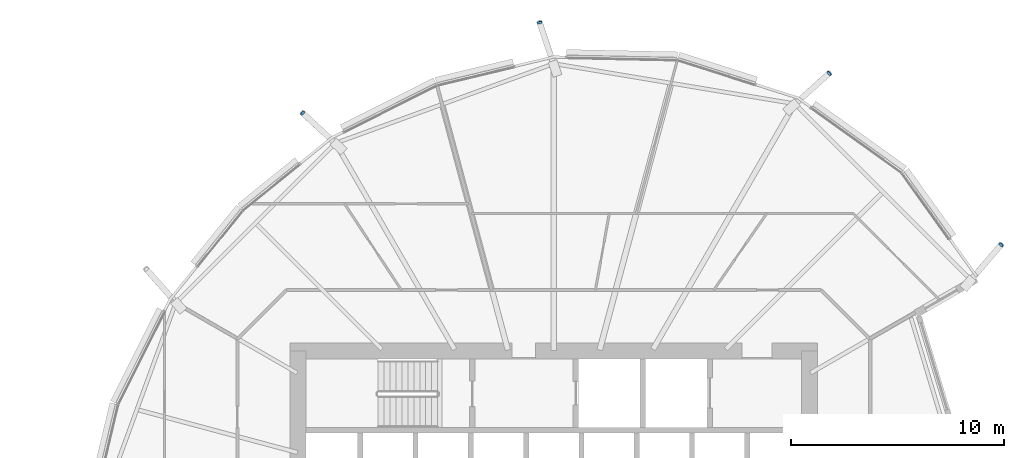
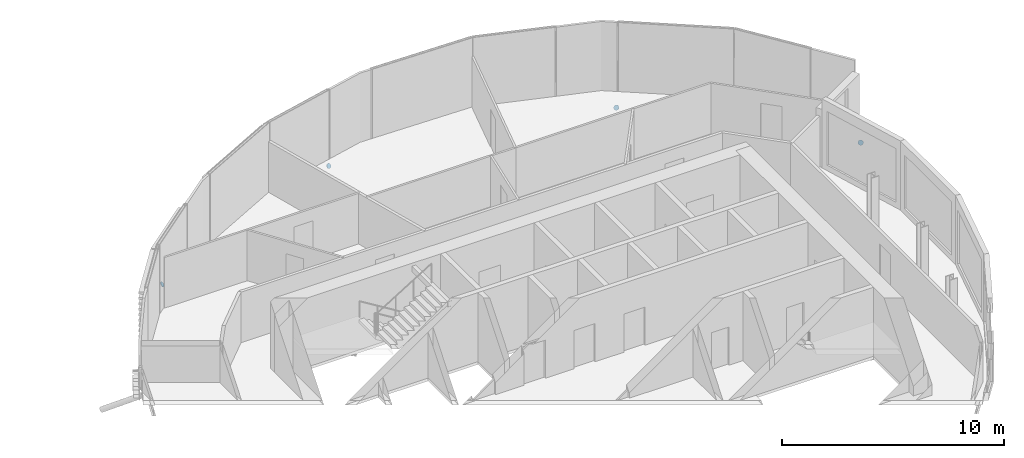
# One storey, part 32 of 38: 4 discrete accessories.
"""IFC4 building model written with IfcOpenShell, lengths in metres."""

from ifc_helpers import new_model, si_unit, direction, frame, origin, origin_2d, place, context, subcontext, project, spatial, circle, extrude, material, material_profile, profile_set, type_object, element, save


model = new_model("IFC4")

# Units and contexts
model_context = context("Model", 3, precision=1e-05, world=origin(), true_north=direction((0.0, 1.0)))
body_context = subcontext(model_context, "Body", "Model", "MODEL_VIEW")
ifc_project = project(units=[si_unit("LENGTHUNIT", "METRE"), si_unit("AREAUNIT", "SQUARE_METRE"), si_unit("VOLUMEUNIT", "CUBIC_METRE"), si_unit("PLANEANGLEUNIT", "RADIAN"), si_unit("MASSUNIT", "GRAM", prefix="KILO")], contexts=[model_context])

# Site, building, storey
site_placement = place(None, origin())
site = spatial("IfcSite", under=ifc_project, at=site_placement, CompositionType="ELEMENT")
building_placement = place(site_placement, origin())
building = spatial("IfcBuilding", under=site, at=building_placement, Name="Rimbun Link Towers", CompositionType="ELEMENT")
storey_placement = place(building_placement, frame((0.0, 0.0, 119.60009765625)))
storey = spatial("IfcBuildingStorey", under=building, at=storey_placement, Name="L29", CompositionType="ELEMENT", Elevation=119.60009765625)

# Discrete accessories
ifc_material = material(Name="Steel S355J2H", Category="steel")
ifc_material_profile = material_profile(ifc_material, circle(Radius=0.1240234375, at=origin_2d()), Name="PL D248")
ifc_profile_set = profile_set([ifc_material_profile], Name="Steel S355J2H")
discrete_accessory_type = type_object("IfcDiscreteAccessoryType", Name="Link foot sealing plate D248X20", PredefinedType="BRACKET", material=ifc_profile_set)
discrete_accessory_1_placement = place(storey_placement, frame((44.6669921875, 21.015380859375, -2.18310546875), z_axis=(0.646870797986, 0.585845251006, -0.488204375838), x_axis=(-0.671279432626, 0.741204373525, 0.0)))
element("IfcDiscreteAccessory", 1, at=discrete_accessory_1_placement, inside=storey, type_object=discrete_accessory_type, Name="Link foot sealing plate T2 L29 01", PredefinedType="BRACKET", context=body_context, shape_type="SweptSolid", body=[
    extrude(circle(Radius=0.1240234375, at=origin_2d()), origin(), (0.0, 0.0, 1.0), 0.02001953125),
])
discrete_accessory_2_placement = place(storey_placement, frame((31.087890625, 23.3974609375, -2.081787109375), z_axis=(-0.278690648323, 0.83607194497, -0.472562403679), x_axis=(-0.948683298051, -0.316227766017, 0.0)))
element("IfcDiscreteAccessory", 2, at=discrete_accessory_2_placement, inside=storey, type_object=discrete_accessory_type, Name="Link foot sealing plate T2 L29 03", PredefinedType="BRACKET", context=body_context, shape_type="SweptSolid", body=[
    extrude(circle(Radius=0.1240234375, at=origin_2d()), origin(), (0.0, 0.0, 1.0), 0.020263671875),
])
for number, where, z_axis, x_axis, name in (
    (3, (19.971923828125, 19.151611328125, -2.12451171875), (-0.635803253097, 0.586895310551, -0.501306411095), (-0.678280102733, -0.734803444627, 0.0), "Link foot sealing plate T2 L29 05"),
    (4, (52.73486328125, 12.9658203125, -2.05322265625), (0.557996078219, 0.655038874431, -0.509474680113), (-0.761243230487, 0.6484664556, 0.0), "Link foot sealing plate T2 L29 23"),
):
    element("IfcDiscreteAccessory", number, at=place(storey_placement, frame(where, z_axis=z_axis, x_axis=x_axis)), inside=storey, type_object=discrete_accessory_type, Name=name, PredefinedType="BRACKET", context=body_context, shape_type="SweptSolid", body=[
        extrude(circle(Radius=0.1240234375, at=origin_2d()), origin(), (0.0, 0.0, 1.0), 0.02001953125),
    ])

save(model, "model.ifc")
